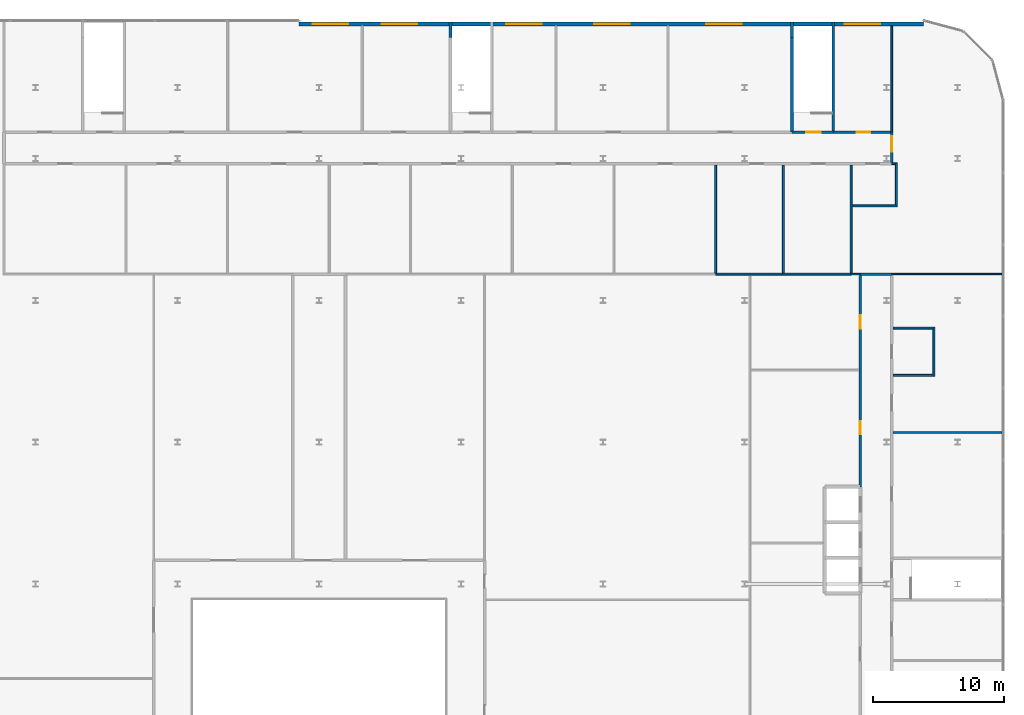
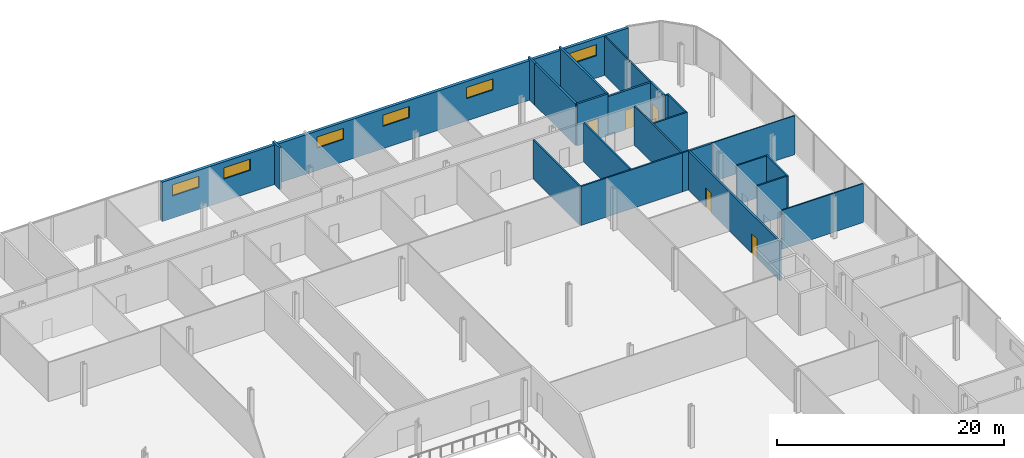
# One storey, part 36 of 43: 24 walls, 6 windows, 5 doors, 11 openings.
"""IFC4 building model written with IfcOpenShell, lengths in metres."""

from ifc_helpers import new_model, si_unit, direction, frame, frame_2d, origin, place, context, subcontext, project, spatial, rectangle, extrude, source, transform, mapped, material, layer, layer_set, type_object, element, fill, save


model = new_model("IFC4")

# Units and contexts
model_context = context("Model", 3, precision=1e-05, world=origin(), true_north=direction((0.0, 1.0)))
body_context = subcontext(model_context, "Body", "Model", "MODEL_VIEW")
ifc_project = project(units=[si_unit("LENGTHUNIT", "METRE"), si_unit("AREAUNIT", "SQUARE_METRE"), si_unit("VOLUMEUNIT", "CUBIC_METRE"), si_unit("PLANEANGLEUNIT", "RADIAN"), si_unit("MASSUNIT", "GRAM", prefix="KILO")], contexts=[model_context])

# Site, building, storey
site_placement = place(None, origin())
site = spatial("IfcSite", under=ifc_project, at=site_placement, CompositionType="ELEMENT")
building_placement = place(site_placement, origin())
building = spatial("IfcBuilding", under=site, at=building_placement, Name="Kheshtan School and Residences Tower", CompositionType="ELEMENT")
storey_placement = place(building_placement, frame((0.0, 0.0, 26.0)))
storey = spatial("IfcBuildingStorey", under=building, at=storey_placement, Name="L05", CompositionType="ELEMENT", Elevation=26.0)

# Walls
ifc_material_1 = material(Name="Gypsum board on steel studs with mineral wool", Category="steel")
ifc_layer_1 = layer(ifc_material_1, 0.125)
ifc_layer_set_1 = layer_set([ifc_layer_1], Name="Acoustic partition 125")
wall_type_1 = type_object("IfcWallType", Name="Acoustic partition 125", PredefinedType="PARTITIONING", material=ifc_layer_set_1)
wall_1_placement = place(storey_placement, frame((120.50390625, 90.800048828125, 0.0), z_axis=(0.0, 0.0, 1.0), x_axis=(1.0, 0.0, 0.0)))
element("IfcWall", 1, at=wall_1_placement, inside=storey, type_object=wall_type_1, Name="Partition L05-076", PredefinedType="PARTITIONING", context=body_context, shape_type="SweptSolid", body=[
    extrude(rectangle(XDim=0.696044921875, YDim=0.125, at=frame_2d((0.34814453125, 0.0))), origin(), (0.0, 0.0, 1.0), 4.199951171875),
])
wall_2_placement = place(storey_placement, frame((123.60009765625, 101.60009765625, 0.0), z_axis=(0.0, 0.0, 1.0), x_axis=(0.0, 1.0, 0.0)))
element("IfcWall", 2, at=wall_2_placement, inside=storey, type_object=wall_type_1, Name="Partition L05-090", PredefinedType="PARTITIONING", context=body_context, shape_type="SweptSolid", body=[
    extrude(rectangle(XDim=8.100830078125, YDim=0.125, at=frame_2d((4.05029296875, 0.0))), origin(), (0.0, 0.0, 1.0), 4.199951171875),
])
wall_3_placement = place(storey_placement, frame((123.699951171875, 78.738037109375, 0.0), z_axis=(0.0, 0.0, 1.0), x_axis=(1.0, 0.0, 0.0)))
element("IfcWall", 3, at=wall_3_placement, inside=storey, type_object=wall_type_1, Name="Partition L05-092", PredefinedType="PARTITIONING", context=body_context, shape_type="SweptSolid", body=[
    extrude(rectangle(XDim=8.300048828125, YDim=0.125, at=frame_2d((4.14990234375, 0.0))), origin(), (0.0, 0.0, 1.0), 4.199951171875),
])

# Wall, opening, door
ifc_material_2 = material(Name="Gypsum board on steel studs with fire boards", Category="steel")
ifc_layer_2 = layer(ifc_material_2, 0.199951171875)
ifc_layer_set_2 = layer_set([ifc_layer_2], Name="Corridor wall 200")
wall_type_2 = type_object("IfcWallType", Name="Corridor wall 200", PredefinedType="PARTITIONING", material=ifc_layer_set_2)
wall_4_placement = place(storey_placement, frame((119.14990234375, 101.60009765625, 0.0), z_axis=(0.0, 0.0, 1.0), x_axis=(1.0, 0.0, 0.0)))
wall_4 = element("IfcWall", 4, at=wall_4_placement, inside=storey, type_object=wall_type_2, Name="Partition L05-075", PredefinedType="PARTITIONING", context=body_context, shape_type="SweptSolid", body=[
    extrude(rectangle(XDim=4.35009765625, YDim=0.199951171875, at=frame_2d((2.175048828125, 0.0))), origin(), (0.0, 0.0, 1.0), 4.199951171875),
])
opening_1_placement = place(wall_4_placement, frame((1.800048828125, 0.0, 0.0)))
opening_1 = element("IfcOpeningElement", 5, at=opening_1_placement, cuts=wall_4, Name="Opening D05-031", PredefinedType="OPENING", context=body_context, shape_type="SweptSolid", body=[
    extrude(rectangle(XDim=1.0, YDim=2.10009765625, at=frame_2d((0.5, 1.050048828125))), frame((0.0, 0.10986328125, 0.0), z_axis=(0.0, -1.0, 0.0), x_axis=(1.0, 0.0, 0.0)), (0.0, 0.0, 1.0), 0.219970703125),
])
ifc_material_3 = material(Name="Steel-framed fire-resisting door leaf", Category="steel")
door_type_1 = type_object("IfcDoorType", Name="Fire door FD60 1000 x 2100", OperationType="SINGLE_SWING_LEFT", PredefinedType="DOOR", material=ifc_material_3)
shared_shape_1 = source(origin(), body_context, "Body", "SweptSolid", [
    extrude(rectangle(XDim=1.0, YDim=2.10009765625, at=frame_2d((0.5, 1.050048828125))), frame((0.0, 0.02490234375, 0.0), z_axis=(0.0, -1.0, 0.0), x_axis=(1.0, 0.0, 0.0)), (0.0, 0.0, 1.0), 0.050048828125),
])
door_1_placement = place(opening_1_placement, origin())
door_1 = element("IfcDoor", 6, at=door_1_placement, inside=storey, type_object=door_type_1, Name="Door D05-031", OperationType="SINGLE_SWING_RIGHT", OverallHeight=2.10009765625, OverallWidth=1.0, PredefinedType="DOOR", context=body_context, shape_type="MappedRepresentation", body=[
    mapped(shared_shape_1, transform((0.0, 0.0, 0.0), x_axis=(1.0, 0.0, 0.0), y_axis=(0.0, 1.0, 0.0), z_axis=(0.0, 0.0, 1.0), scale=1.0)),
])
fill(opening_1, door_1)

# Wall, openings, doors
wall_5_placement = place(storey_placement, frame((121.199951171875, 74.60009765625, 0.0), z_axis=(0.0, 0.0, 1.0), x_axis=(0.0, 1.0, 0.0)))
wall_5 = element("IfcWall", 7, at=wall_5_placement, inside=storey, type_object=wall_type_2, Name="Partition L05-082", PredefinedType="PARTITIONING", context=body_context, shape_type="SweptSolid", body=[
    extrude(rectangle(XDim=16.099853515625, YDim=0.199951171875, at=frame_2d((8.0498046875, 0.0))), origin(), (0.0, 0.0, 1.0), 4.199951171875),
])
opening_2_placement = place(wall_5_placement, frame((3.987060546875, 0.0, 0.0)))
opening_2 = element("IfcOpeningElement", 8, at=opening_2_placement, cuts=wall_5, Name="Opening D05-003", PredefinedType="OPENING", context=body_context, shape_type="SweptSolid", body=[
    extrude(rectangle(XDim=1.0, YDim=2.10009765625, at=frame_2d((0.5, 1.050048828125))), frame((0.0, 0.10986328125, 0.0), z_axis=(0.0, -1.0, 0.0), x_axis=(1.0, 0.0, 0.0)), (0.0, 0.0, 1.0), 0.219970703125),
])
opening_3_placement = place(wall_5_placement, frame((12.050048828125, 0.0, 0.0)))
opening_3 = element("IfcOpeningElement", 9, at=opening_3_placement, cuts=wall_5, Name="Opening D05-004", PredefinedType="OPENING", context=body_context, shape_type="SweptSolid", body=[
    extrude(rectangle(XDim=1.0, YDim=2.10009765625, at=frame_2d((0.5, 1.050048828125))), frame((0.0, 0.10986328125, 0.0), z_axis=(0.0, -1.0, 0.0), x_axis=(1.0, 0.0, 0.0)), (0.0, 0.0, 1.0), 0.219970703125),
])
door_2_placement = place(opening_2_placement, origin())
door_2 = element("IfcDoor", 10, at=door_2_placement, inside=storey, type_object=door_type_1, Name="Door D05-003", OperationType="SINGLE_SWING_LEFT", OverallHeight=2.10009765625, OverallWidth=1.0, PredefinedType="DOOR", context=body_context, shape_type="MappedRepresentation", body=[
    mapped(shared_shape_1, transform((0.0, 0.0, 0.0), x_axis=(1.0, 0.0, 0.0), y_axis=(0.0, 1.0, 0.0), z_axis=(0.0, 0.0, 1.0), scale=1.0)),
])
fill(opening_2, door_2)
door_3_placement = place(opening_3_placement, origin())
door_3 = element("IfcDoor", 11, at=door_3_placement, inside=storey, type_object=door_type_1, Name="Door D05-004", OperationType="SINGLE_SWING_RIGHT", OverallHeight=2.10009765625, OverallWidth=1.0, PredefinedType="DOOR", context=body_context, shape_type="MappedRepresentation", body=[
    mapped(shared_shape_1, transform((0.0, 0.0, 0.0), x_axis=(1.0, 0.0, 0.0), y_axis=(0.0, 1.0, 0.0), z_axis=(0.0, 0.0, 1.0), scale=1.0)),
])
fill(opening_3, door_3)

# Wall
wall_6_placement = place(storey_placement, frame((121.199951171875, 90.800048828125, 0.0), z_axis=(0.0, 0.0, 1.0), x_axis=(1.0, 0.0, 0.0)))
element("IfcWall", 12, at=wall_6_placement, inside=storey, type_object=wall_type_2, Name="Partition L05-083", PredefinedType="PARTITIONING", context=body_context, shape_type="SweptSolid", body=[
    extrude(rectangle(XDim=2.400146484375, YDim=0.199951171875, at=frame_2d((1.2001953125, 0.0))), origin(), (0.0, 0.0, 1.0), 4.199951171875),
])

# Wall, opening, door
wall_7_placement = place(storey_placement, frame((123.60009765625, 99.300048828125, 0.0), z_axis=(0.0, 0.0, 1.0), x_axis=(0.0, 1.0, 0.0)))
wall_7 = element("IfcWall", 13, at=wall_7_placement, inside=storey, type_object=wall_type_2, Name="Partition L05-089", PredefinedType="PARTITIONING", context=body_context, shape_type="SweptSolid", body=[
    extrude(rectangle(XDim=2.300048828125, YDim=0.199951171875, at=frame_2d((1.14990234375, 0.0))), origin(), (0.0, 0.0, 1.0), 4.199951171875),
])
opening_4_placement = place(wall_7_placement, frame((0.800048828125, 0.0, 0.0)))
opening_4 = element("IfcOpeningElement", 14, at=opening_4_placement, cuts=wall_7, Name="Opening D05-015", PredefinedType="OPENING", context=body_context, shape_type="SweptSolid", body=[
    extrude(rectangle(XDim=1.199951171875, YDim=2.10009765625, at=frame_2d((0.60009765625, 1.050048828125))), frame((0.0, 0.10986328125, 0.0), z_axis=(0.0, -1.0, 0.0), x_axis=(1.0, 0.0, 0.0)), (0.0, 0.0, 1.0), 0.219970703125),
])
door_type_2 = type_object("IfcDoorType", Name="Fire door FD60 1200 x 2100", OperationType="SINGLE_SWING_LEFT", PredefinedType="DOOR", material=ifc_material_3)
shared_shape_2 = source(origin(), body_context, "Body", "SweptSolid", [
    extrude(rectangle(XDim=1.199951171875, YDim=2.10009765625, at=frame_2d((0.60009765625, 1.050048828125))), frame((0.0, 0.02490234375, 0.0), z_axis=(0.0, -1.0, 0.0), x_axis=(1.0, 0.0, 0.0)), (0.0, 0.0, 1.0), 0.050048828125),
])
door_4_placement = place(opening_4_placement, origin())
door_4 = element("IfcDoor", 15, at=door_4_placement, inside=storey, type_object=door_type_2, Name="Door D05-015", OperationType="SINGLE_SWING_RIGHT", OverallHeight=2.10009765625, OverallWidth=1.199951171875, PredefinedType="DOOR", context=body_context, shape_type="MappedRepresentation", body=[
    mapped(shared_shape_2, transform((0.0, 0.0, 0.0), x_axis=(1.0, 0.0, 0.0), y_axis=(0.0, 1.0, 0.0), z_axis=(0.0, 0.0, 1.0), scale=1.0)),
])
fill(opening_4, door_4)

# Wall
ifc_material_4 = material(Name="Gypsum board on steel studs", Category="steel")
ifc_layer_3 = layer(ifc_material_4, 0.10009765625)
ifc_layer_set_3 = layer_set([ifc_layer_3], Name="Gypsum partition 100")
wall_type_3 = type_object("IfcWallType", Name="Gypsum partition 100", PredefinedType="PARTITIONING", material=ifc_layer_set_3)
wall_8_placement = place(storey_placement, frame((123.60009765625, 90.800048828125, 0.0), z_axis=(0.0, 0.0, 1.0), x_axis=(1.0, 0.0, 0.0)))
element("IfcWall", 16, at=wall_8_placement, inside=storey, type_object=wall_type_3, Name="Partition L05-087", PredefinedType="PARTITIONING", context=body_context, shape_type="SweptSolid", body=[
    extrude(rectangle(XDim=8.39990234375, YDim=0.10009765625, at=frame_2d((4.199951171875, 0.0))), origin(), (0.0, 0.0, 1.0), 4.199951171875),
])

# Wall, openings, windows
ifc_material_5 = material(Name="Concrete C40/50 with ceramic cladding and mineral wool insulation", Category="concrete")
ifc_layer_4 = layer(ifc_material_5, 0.300048828125)
ifc_layer_set_4 = layer_set([ifc_layer_4], Name="Podium external wall 300")
wall_type_4 = type_object("IfcWallType", Name="Podium external wall 300", PredefinedType="SOLIDWALL", material=ifc_layer_set_4)
wall_9_placement = place(storey_placement, frame((78.47998046875, 109.85009765625, 0.0), z_axis=(0.0, 0.0, 1.0), x_axis=(1.0, 0.0, 0.0)))
wall_9 = element("IfcWall", 17, at=wall_9_placement, inside=storey, type_object=wall_type_4, Name="Podium external wall L05 4.1", PredefinedType="SOLIDWALL", context=body_context, shape_type="SweptSolid", body=[
    extrude(rectangle(XDim=47.52001953125, YDim=0.300048828125, at=frame_2d((23.760009765625, 0.0))), origin(), (0.0, 0.0, 1.0), 4.25),
])
opening_5_placement = place(wall_9_placement, frame((1.044921875, 0.0, 2.39990234375)))
opening_5 = element("IfcOpeningElement", 18, at=opening_5_placement, cuts=wall_9, Name="Opening WN-G", PredefinedType="OPENING", context=body_context, shape_type="SweptSolid", body=[
    extrude(rectangle(XDim=2.699951171875, YDim=1.199951171875, at=frame_2d((1.35009765625, 0.60009765625))), frame((0.0, 0.16015625, 0.0), z_axis=(0.0, -1.0, 0.0), x_axis=(1.0, 0.0, 0.0)), (0.0, 0.0, 1.0), 0.320068359375),
])
opening_6_placement = place(wall_9_placement, frame((6.280029296875, 0.0, 2.39990234375)))
opening_6 = element("IfcOpeningElement", 19, at=opening_6_placement, cuts=wall_9, Name="Opening WN-G", PredefinedType="OPENING", context=body_context, shape_type="SweptSolid", body=[
    extrude(rectangle(XDim=2.699951171875, YDim=1.199951171875, at=frame_2d((1.35009765625, 0.60009765625))), frame((0.0, 0.16015625, 0.0), z_axis=(0.0, -1.0, 0.0), x_axis=(1.0, 0.0, 0.0)), (0.0, 0.0, 1.0), 0.320068359375),
])
opening_7_placement = place(wall_9_placement, frame((15.764892578125, 0.0, 2.39990234375)))
opening_7 = element("IfcOpeningElement", 20, at=opening_7_placement, cuts=wall_9, Name="Opening WN-G", PredefinedType="OPENING", context=body_context, shape_type="SweptSolid", body=[
    extrude(rectangle(XDim=2.699951171875, YDim=1.199951171875, at=frame_2d((1.35009765625, 0.60009765625))), frame((0.0, 0.16015625, 0.0), z_axis=(0.0, -1.0, 0.0), x_axis=(1.0, 0.0, 0.0)), (0.0, 0.0, 1.0), 0.320068359375),
])
opening_8_placement = place(wall_9_placement, frame((22.469970703125, 0.0, 2.39990234375)))
opening_8 = element("IfcOpeningElement", 21, at=opening_8_placement, cuts=wall_9, Name="Opening WN-G", PredefinedType="OPENING", context=body_context, shape_type="SweptSolid", body=[
    extrude(rectangle(XDim=2.699951171875, YDim=1.199951171875, at=frame_2d((1.35009765625, 0.60009765625))), frame((0.0, 0.16015625, 0.0), z_axis=(0.0, -1.0, 0.0), x_axis=(1.0, 0.0, 0.0)), (0.0, 0.0, 1.0), 0.320068359375),
])
opening_9_placement = place(wall_9_placement, frame((30.989990234375, 0.0, 2.39990234375)))
opening_9 = element("IfcOpeningElement", 22, at=opening_9_placement, cuts=wall_9, Name="Opening WN-G", PredefinedType="OPENING", context=body_context, shape_type="SweptSolid", body=[
    extrude(rectangle(XDim=2.699951171875, YDim=1.199951171875, at=frame_2d((1.35009765625, 0.60009765625))), frame((0.0, 0.16015625, 0.0), z_axis=(0.0, -1.0, 0.0), x_axis=(1.0, 0.0, 0.0)), (0.0, 0.0, 1.0), 0.320068359375),
])
opening_10_placement = place(wall_9_placement, frame((41.544921875, 0.0, 2.39990234375)))
opening_10 = element("IfcOpeningElement", 23, at=opening_10_placement, cuts=wall_9, Name="Opening WN-G", PredefinedType="OPENING", context=body_context, shape_type="SweptSolid", body=[
    extrude(rectangle(XDim=2.699951171875, YDim=1.199951171875, at=frame_2d((1.35009765625, 0.60009765625))), frame((0.0, 0.16015625, 0.0), z_axis=(0.0, -1.0, 0.0), x_axis=(1.0, 0.0, 0.0)), (0.0, 0.0, 1.0), 0.320068359375),
])
ifc_material_6 = material(Name="Clear low-e glass in thermally broken aluminium frame", Category="aluminium")
window_type = type_object("IfcWindowType", Name="Window WN-G", PartitioningType="SINGLE_PANEL", PredefinedType="WINDOW", material=ifc_material_6)
shared_shape_3 = source(origin(), body_context, "Body", "SweptSolid", [
    extrude(rectangle(XDim=2.699951171875, YDim=1.199951171875, at=frame_2d((1.35009765625, 0.60009765625))), frame((0.0, 0.030029296875, 0.0), z_axis=(0.0, -1.0, 0.0), x_axis=(1.0, 0.0, 0.0)), (0.0, 0.0, 1.0), 0.06005859375),
])
window_1_placement = place(opening_5_placement, origin())
window_1 = element("IfcWindow", 24, at=window_1_placement, inside=storey, type_object=window_type, Name="Window L05 4.1.1", OverallHeight=1.199951171875, OverallWidth=2.699951171875, PartitioningType="SINGLE_PANEL", PredefinedType="WINDOW", context=body_context, shape_type="MappedRepresentation", body=[
    mapped(shared_shape_3, transform((0.0, 0.0, 0.0), x_axis=(1.0, 0.0, 0.0), y_axis=(0.0, 1.0, 0.0), z_axis=(0.0, 0.0, 1.0), scale=1.0)),
])
fill(opening_5, window_1)
window_2_placement = place(opening_6_placement, origin())
window_2 = element("IfcWindow", 25, at=window_2_placement, inside=storey, type_object=window_type, Name="Window L05 4.1.2", OverallHeight=1.199951171875, OverallWidth=2.699951171875, PartitioningType="SINGLE_PANEL", PredefinedType="WINDOW", context=body_context, shape_type="MappedRepresentation", body=[
    mapped(shared_shape_3, transform((0.0, 0.0, 0.0), x_axis=(1.0, 0.0, 0.0), y_axis=(0.0, 1.0, 0.0), z_axis=(0.0, 0.0, 1.0), scale=1.0)),
])
fill(opening_6, window_2)
window_3_placement = place(opening_7_placement, origin())
window_3 = element("IfcWindow", 26, at=window_3_placement, inside=storey, type_object=window_type, Name="Window L05 4.1.3", OverallHeight=1.199951171875, OverallWidth=2.699951171875, PartitioningType="SINGLE_PANEL", PredefinedType="WINDOW", context=body_context, shape_type="MappedRepresentation", body=[
    mapped(shared_shape_3, transform((0.0, 0.0, 0.0), x_axis=(1.0, 0.0, 0.0), y_axis=(0.0, 1.0, 0.0), z_axis=(0.0, 0.0, 1.0), scale=1.0)),
])
fill(opening_7, window_3)
window_4_placement = place(opening_8_placement, origin())
window_4 = element("IfcWindow", 27, at=window_4_placement, inside=storey, type_object=window_type, Name="Window L05 4.1.4", OverallHeight=1.199951171875, OverallWidth=2.699951171875, PartitioningType="SINGLE_PANEL", PredefinedType="WINDOW", context=body_context, shape_type="MappedRepresentation", body=[
    mapped(shared_shape_3, transform((0.0, 0.0, 0.0), x_axis=(1.0, 0.0, 0.0), y_axis=(0.0, 1.0, 0.0), z_axis=(0.0, 0.0, 1.0), scale=1.0)),
])
fill(opening_8, window_4)
window_5_placement = place(opening_9_placement, origin())
window_5 = element("IfcWindow", 28, at=window_5_placement, inside=storey, type_object=window_type, Name="Window L05 4.1.5", OverallHeight=1.199951171875, OverallWidth=2.699951171875, PartitioningType="SINGLE_PANEL", PredefinedType="WINDOW", context=body_context, shape_type="MappedRepresentation", body=[
    mapped(shared_shape_3, transform((0.0, 0.0, 0.0), x_axis=(1.0, 0.0, 0.0), y_axis=(0.0, 1.0, 0.0), z_axis=(0.0, 0.0, 1.0), scale=1.0)),
])
fill(opening_9, window_5)
window_6_placement = place(opening_10_placement, origin())
window_6 = element("IfcWindow", 29, at=window_6_placement, inside=storey, type_object=window_type, Name="Window L05 4.1.6", OverallHeight=1.199951171875, OverallWidth=2.699951171875, PartitioningType="SINGLE_PANEL", PredefinedType="WINDOW", context=body_context, shape_type="MappedRepresentation", body=[
    mapped(shared_shape_3, transform((0.0, 0.0, 0.0), x_axis=(1.0, 0.0, 0.0), y_axis=(0.0, 1.0, 0.0), z_axis=(0.0, 0.0, 1.0), scale=1.0)),
])
fill(opening_10, window_6)

# Wall
ifc_material_7 = material(Name="Concrete C40/50", Category="concrete")
ifc_layer_5 = layer(ifc_material_7, 0.199951171875)
ifc_layer_set_5 = layer_set([ifc_layer_5], Name="Stair enclosure wall 200 Concrete C40/50")
wall_type_5 = type_object("IfcWallType", Name="Stair enclosure wall 200 Concrete C40/50", PredefinedType="SHEAR", material=ifc_layer_set_5)
wall_10_placement = place(storey_placement, frame((90.0, 108.800048828125, 0.0), z_axis=(0.0, 0.0, 1.0), x_axis=(0.0, 1.0, 0.0)))
element("IfcWall", 30, at=wall_10_placement, inside=storey, type_object=wall_type_5, Name="Stair enclosure wall", PredefinedType="SHEAR", context=body_context, shape_type="SweptSolid", body=[
    extrude(rectangle(XDim=1.199951171875, YDim=0.199951171875, at=frame_2d((0.60009765625, 0.0))), origin(), (0.0, 0.0, 1.0), 4.5),
])

# Wall, opening, door
wall_11_placement = place(storey_placement, frame((116.0, 101.60009765625, 0.0), z_axis=(0.0, 0.0, 1.0), x_axis=(1.0, 0.0, 0.0)))
wall_11 = element("IfcWall", 31, at=wall_11_placement, inside=storey, type_object=wall_type_5, Name="Stair enclosure wall", PredefinedType="SHEAR", context=body_context, shape_type="SweptSolid", body=[
    extrude(rectangle(XDim=3.14990234375, YDim=0.199951171875, at=frame_2d((1.574951171875, 0.0))), origin(), (0.0, 0.0, 1.0), 4.5),
])
opening_11_placement = place(wall_11_placement, frame((1.10009765625, 0.0, 0.0)))
opening_11 = element("IfcOpeningElement", 32, at=opening_11_placement, cuts=wall_11, Name="Opening SD90", PredefinedType="OPENING", context=body_context, shape_type="SweptSolid", body=[
    extrude(rectangle(XDim=1.10009765625, YDim=2.199951171875, at=frame_2d((0.550048828125, 1.10009765625))), frame((0.0, 0.10986328125, 0.0), z_axis=(0.0, -1.0, 0.0), x_axis=(1.0, 0.0, 0.0)), (0.0, 0.0, 1.0), 0.219970703125),
])
ifc_material_8 = material(Name="Steel door leaf, galvanised", Category="steel")
door_type_3 = type_object("IfcDoorType", Name="Stair door 1100 steel 90 min", OperationType="SINGLE_SWING_LEFT", PredefinedType="DOOR", material=ifc_material_8)
shared_shape_4 = source(origin(), body_context, "Body", "SweptSolid", [
    extrude(rectangle(XDim=1.10009765625, YDim=2.199951171875, at=frame_2d((0.550048828125, 1.10009765625))), frame((0.0, 0.02490234375, 0.0), z_axis=(0.0, -1.0, 0.0), x_axis=(1.0, 0.0, 0.0)), (0.0, 0.0, 1.0), 0.050048828125),
])
door_5_placement = place(opening_11_placement, origin())
door_5 = element("IfcDoor", 33, at=door_5_placement, inside=storey, type_object=door_type_3, Name="Stair door", OperationType="SINGLE_SWING_RIGHT", OverallHeight=2.199951171875, OverallWidth=1.10009765625, PredefinedType="DOOR", context=body_context, shape_type="MappedRepresentation", body=[
    mapped(shared_shape_4, transform((0.0, 0.0, 0.0), x_axis=(1.0, 0.0, 0.0), y_axis=(0.0, 1.0, 0.0), z_axis=(0.0, 0.0, 1.0), scale=1.0)),
])
fill(opening_11, door_5)

# Walls
wall_12_placement = place(storey_placement, frame((116.0, 101.60009765625, 0.0), z_axis=(0.0, 0.0, 1.0), x_axis=(0.0, 1.0, 0.0)))
element("IfcWall", 34, at=wall_12_placement, inside=storey, type_object=wall_type_5, Name="Stair enclosure wall", PredefinedType="SHEAR", context=body_context, shape_type="SweptSolid", body=[
    extrude(rectangle(XDim=7.199951171875, YDim=0.199951171875, at=frame_2d((3.60009765625, 0.0))), origin(), (0.0, 0.0, 1.0), 4.5),
])
wall_13_placement = place(storey_placement, frame((116.0, 108.800048828125, 0.0), z_axis=(0.0, 0.0, 1.0), x_axis=(0.0, 1.0, 0.0)))
element("IfcWall", 35, at=wall_13_placement, inside=storey, type_object=wall_type_5, Name="Stair enclosure wall", PredefinedType="SHEAR", context=body_context, shape_type="SweptSolid", body=[
    extrude(rectangle(XDim=1.199951171875, YDim=0.199951171875, at=frame_2d((0.60009765625, 0.0))), origin(), (0.0, 0.0, 1.0), 4.5),
])
wall_14_placement = place(storey_placement, frame((119.14990234375, 101.60009765625, 0.0), z_axis=(0.0, 0.0, 1.0), x_axis=(0.0, 1.0, 0.0)))
element("IfcWall", 36, at=wall_14_placement, inside=storey, type_object=wall_type_5, Name="Stair enclosure wall", PredefinedType="SHEAR", context=body_context, shape_type="SweptSolid", body=[
    extrude(rectangle(XDim=8.39990234375, YDim=0.199951171875, at=frame_2d((4.199951171875, 0.0))), origin(), (0.0, 0.0, 1.0), 4.5),
])
ifc_material_9 = material(Name="Moisture-resistant gypsum board on steel studs", Category="steel")
ifc_layer_6 = layer(ifc_material_9, 0.14990234375)
ifc_layer_set_6 = layer_set([ifc_layer_6], Name="Wet-room partition 150")
wall_type_6 = type_object("IfcWallType", Name="Wet-room partition 150", PredefinedType="PARTITIONING", material=ifc_layer_set_6)
wall_15_placement = place(storey_placement, frame((110.18310546875, 90.800048828125, 0.0), z_axis=(0.0, 0.0, 1.0), x_axis=(1.0, 0.0, 0.0)))
element("IfcWall", 37, at=wall_15_placement, inside=storey, type_object=wall_type_6, Name="Partition L05-066", PredefinedType="PARTITIONING", context=body_context, shape_type="SweptSolid", body=[
    extrude(rectangle(XDim=10.32080078125, YDim=0.14990234375, at=frame_2d((5.160400390625, 0.0))), origin(), (0.0, 0.0, 1.0), 4.199951171875),
])
for number, where, z_axis, x_axis, name in (
    (38, (110.18310546875, 90.875, 0.0), (0.0, 0.0, 1.0), (0.0, 1.0, 0.0), "Partition L05-067"),
    (39, (115.343994140625, 90.875, 0.0), (0.0, 0.0, 1.0), (0.0, 1.0, 0.0), "Partition L05-073"),
    (40, (120.50390625, 90.875, 0.0), (0.0, 0.0, 1.0), (0.0, 1.0, 0.0), "Partition L05-077"),
):
    element("IfcWall", number, at=place(storey_placement, frame(where, z_axis=z_axis, x_axis=x_axis)), inside=storey, type_object=wall_type_6, Name=name, PredefinedType="PARTITIONING", context=body_context, shape_type="SweptSolid", body=[
        extrude(rectangle(XDim=8.22509765625, YDim=0.14990234375, at=frame_2d((4.112548828125, 0.0))), origin(), (0.0, 0.0, 1.0), 4.199951171875),
    ])
wall_16_placement = place(storey_placement, frame((120.5791015625, 96.0, 0.0), z_axis=(0.0, 0.0, 1.0), x_axis=(1.0, 0.0, 0.0)))
element("IfcWall", 41, at=wall_16_placement, inside=storey, type_object=wall_type_6, Name="Partition L05-078", PredefinedType="PARTITIONING", context=body_context, shape_type="SweptSolid", body=[
    extrude(rectangle(XDim=3.449951171875, YDim=0.14990234375, at=frame_2d((1.72509765625, 0.0))), origin(), (0.0, 0.0, 1.0), 4.199951171875),
])
wall_17_placement = place(storey_placement, frame((123.60009765625, 99.199951171875, 0.0), z_axis=(0.0, 0.0, 1.0), x_axis=(1.0, 0.0, 0.0)))
element("IfcWall", 42, at=wall_17_placement, inside=storey, type_object=wall_type_6, Name="Partition L05-088", PredefinedType="PARTITIONING", context=body_context, shape_type="SweptSolid", body=[
    extrude(rectangle(XDim=0.27880859375, YDim=0.14990234375, at=frame_2d((0.139404296875, 0.0))), origin(), (0.0, 0.0, 1.0), 4.199951171875),
])
for number, where, z_axis, x_axis, name in (
    (43, (123.699951171875, 83.087890625, 0.0), (0.0, 0.0, 1.0), (1.0, 0.0, 0.0), "Partition L05-093"),
    (44, (123.699951171875, 86.68798828125, 0.0), (0.0, 0.0, 1.0), (1.0, 0.0, 0.0), "Partition L05-094"),
):
    element("IfcWall", number, at=place(storey_placement, frame(where, z_axis=z_axis, x_axis=x_axis)), inside=storey, type_object=wall_type_6, Name=name, PredefinedType="PARTITIONING", context=body_context, shape_type="SweptSolid", body=[
        extrude(rectangle(XDim=3.025146484375, YDim=0.14990234375, at=frame_2d((1.5126953125, 0.0))), origin(), (0.0, 0.0, 1.0), 4.199951171875),
    ])
wall_18_placement = place(storey_placement, frame((123.9541015625, 96.074951171875, 0.0), z_axis=(0.0, 0.0, 1.0), x_axis=(0.0, 1.0, 0.0)))
element("IfcWall", 45, at=wall_18_placement, inside=storey, type_object=wall_type_6, Name="Partition L05-095", PredefinedType="PARTITIONING", context=body_context, shape_type="SweptSolid", body=[
    extrude(rectangle(XDim=3.199951171875, YDim=0.14990234375, at=frame_2d((1.60009765625, 0.0))), origin(), (0.0, 0.0, 1.0), 4.199951171875),
])
wall_19_placement = place(storey_placement, frame((126.800048828125, 83.012939453125, 0.0), z_axis=(0.0, 0.0, 1.0), x_axis=(0.0, 1.0, 0.0)))
element("IfcWall", 46, at=wall_19_placement, inside=storey, type_object=wall_type_6, Name="Partition L05-096", PredefinedType="PARTITIONING", context=body_context, shape_type="SweptSolid", body=[
    extrude(rectangle(XDim=3.75, YDim=0.14990234375, at=frame_2d((1.875, 0.0))), origin(), (0.0, 0.0, 1.0), 4.199951171875),
])

save(model, "model.ifc")
